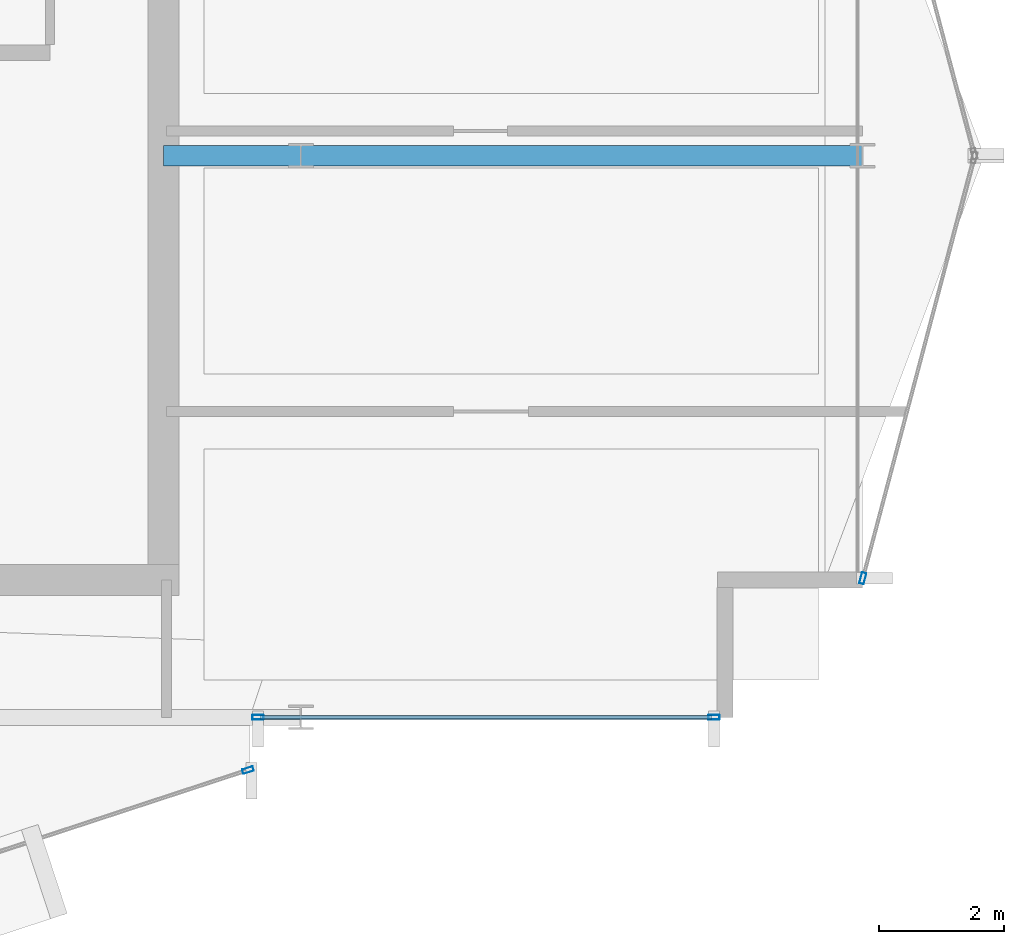
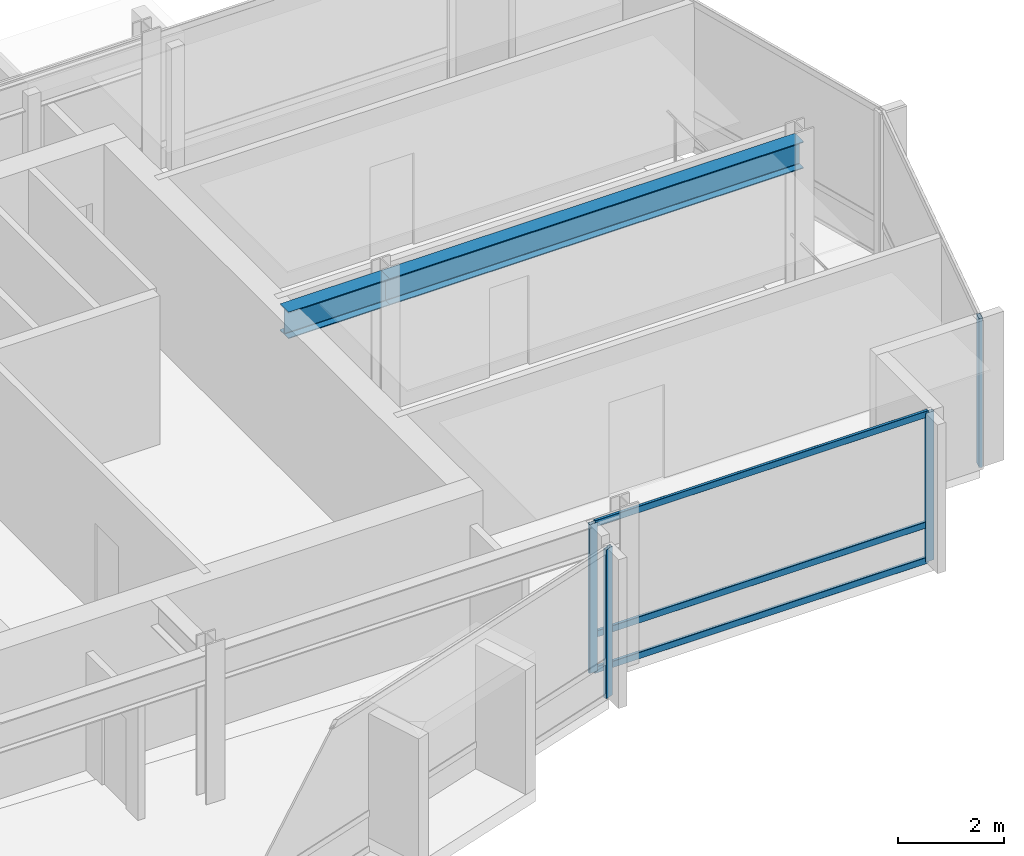
# One storey, part 10 of 28: 7 members, 2 beams, 3 elements without a shape of their own.
"""IFC4 building model written with IfcOpenShell, lengths in metres."""

from ifc_helpers import new_model, si_unit, direction, frame, origin, origin_2d, place, context, subcontext, project, spatial, hollow_rectangle, i_section, extrude, material, layer, layer_set, material_profile, profile_set, type_object, element, aggregate, save


model = new_model("IFC4")

# Units and contexts
model_context = context("Model", 3, precision=1e-05, world=origin(), true_north=direction((0.0, 1.0)))
body_context = subcontext(model_context, "Body", "Model", "MODEL_VIEW")
ifc_project = project(units=[si_unit("LENGTHUNIT", "METRE"), si_unit("AREAUNIT", "SQUARE_METRE"), si_unit("VOLUMEUNIT", "CUBIC_METRE"), si_unit("PLANEANGLEUNIT", "RADIAN"), si_unit("MASSUNIT", "GRAM", prefix="KILO")], contexts=[model_context])

# Site, building, storey
site_placement = place(None, origin())
site = spatial("IfcSite", under=ifc_project, at=site_placement, CompositionType="ELEMENT")
building_placement = place(site_placement, origin())
building = spatial("IfcBuilding", under=site, at=building_placement, Name="Solvaryn Broadcast Tower", CompositionType="ELEMENT")
storey_placement = place(building_placement, frame((0.0, 0.0, 209.89990234375)))
storey = spatial("IfcBuildingStorey", under=building, at=storey_placement, Name="L52", CompositionType="ELEMENT", Elevation=209.89990234375)

# Beams
ifc_material_1 = material(Name="Steel ASTM A992 Grade 50", Category="steel")
ifc_material_profile_1 = material_profile(ifc_material_1, i_section(OverallWidth=0.323974609375, OverallDepth=0.611083984375, WebThickness=0.0126953125, FlangeThickness=0.01904296875, FilletRadius=0.014892578125, at=origin_2d()))
ifc_profile_set_1 = profile_set([ifc_material_profile_1], Name="Steel ASTM A992 Grade 50")
beam_type = type_object("IfcBeamType", Name="BM-B1-W24X104", PredefinedType="BEAM", material=ifc_profile_set_1)
beam_1_placement = place(storey_placement, frame((45.0, 18.0, 3.114501953125), z_axis=(1.0, 0.0, 0.0), x_axis=(0.0, 1.0, 0.0)))
element("IfcBeam", 1, at=beam_1_placement, inside=storey, type_object=beam_type, Name="L52 Primary Beam X (45-54 @ Y=18)", PredefinedType="BEAM", context=body_context, shape_type="SweptSolid", body=[
    extrude(i_section(OverallWidth=0.323974609375, OverallDepth=0.611083984375, WebThickness=0.0126953125, FlangeThickness=0.01904296875, FilletRadius=0.014892578125, at=origin_2d()), origin(), (0.0, 0.0, 1.0), 9.0),
])
beam_2_placement = place(storey_placement, frame((42.800048828125, 18.0, 3.114501953125), z_axis=(1.0, 0.0, 0.0), x_axis=(0.0, 1.0, 0.0)))
element("IfcBeam", 2, at=beam_2_placement, inside=storey, type_object=beam_type, Name="L52 Core Tie Beam CTE3", PredefinedType="BEAM", context=body_context, shape_type="SweptSolid", body=[
    extrude(i_section(OverallWidth=0.323974609375, OverallDepth=0.611083984375, WebThickness=0.0126953125, FlangeThickness=0.01904296875, FilletRadius=0.014892578125, at=origin_2d()), origin(), (0.0, 0.0, 1.0), 2.199951171875),
])

# Curtain wall, member
ifc_material_2 = material(Name="Aluminium and Terracotta Unitised Curtain Wall", Category="masonry")
ifc_layer = layer(ifc_material_2, 0.199951171875)
ifc_layer_set = layer_set([ifc_layer], Name="CW-SYS2-LOWMID")
curtain_wall_type = type_object("IfcCurtainWallType", Name="CW-SYS2-LOWMID", PredefinedType="NOTDEFINED", material=ifc_layer_set)
curtain_wall_1_placement = place(storey_placement, origin())
curtain_wall_1 = element("IfcCurtainWall", 3, at=curtain_wall_1_placement, inside=storey, type_object=curtain_wall_type, Name="L52 Curtain Wall DR4", PredefinedType="NOTDEFINED")
ifc_material_3 = material(Name="Anodised Aluminium 6063-T6", Category="aluminium")
ifc_material_profile_2 = material_profile(ifc_material_3, hollow_rectangle(XDim=0.074951171875, YDim=0.179931640625, WallThickness=0.00390625, InnerFilletRadius=0.00390625, OuterFilletRadius=0.008056640625, at=origin_2d()))
ifc_profile_set_2 = profile_set([ifc_material_profile_2], Name="Anodised Aluminium 6063-T6")
member_type_1 = type_object("IfcMemberType", Name="CW-MUL-180", PredefinedType="MULLION", material=ifc_profile_set_2)
member_1_placement = place(storey_placement, frame((44.153564453125, 8.153564453125, 0.0), z_axis=(0.0, 0.0, 1.0), x_axis=(-0.311558717623, 0.950226902099, 0.0)))
member_1 = element("IfcMember", 4, at=member_1_placement, type_object=member_type_1, Name="CWS2 mullion 2", PredefinedType="MULLION", context=body_context, shape_type="SweptSolid", body=[
    extrude(hollow_rectangle(XDim=0.074951171875, YDim=0.179931640625, WallThickness=0.00390625, InnerFilletRadius=0.00390625, OuterFilletRadius=0.008056640625, at=origin_2d()), origin(), (0.0, 0.0, 1.0), 3.420166015625),
])
aggregate(curtain_wall_1, [member_1])

# Curtain wall, members
curtain_wall_2_placement = place(storey_placement, origin())
curtain_wall_2 = element("IfcCurtainWall", 5, at=curtain_wall_2_placement, inside=storey, type_object=curtain_wall_type, Name="L52 Curtain Wall S2", PredefinedType="NOTDEFINED")
member_2_placement = place(storey_placement, frame((44.31201171875, 9.0, 0.0), z_axis=(0.0, 0.0, 1.0), x_axis=(0.0, 1.0, 0.0)))
member_2 = element("IfcMember", 6, at=member_2_placement, type_object=member_type_1, Name="CWS2 mullion 1", PredefinedType="MULLION", context=body_context, shape_type="SweptSolid", body=[
    extrude(hollow_rectangle(XDim=0.074951171875, YDim=0.179931640625, WallThickness=0.00390625, InnerFilletRadius=0.00390625, OuterFilletRadius=0.008056640625, at=origin_2d()), origin(), (0.0, 0.0, 1.0), 3.420166015625),
])
member_3_placement = place(storey_placement, frame((51.6201171875, 9.0, 0.0), z_axis=(0.0, 0.0, 1.0), x_axis=(0.0, 1.0, 0.0)))
member_3 = element("IfcMember", 7, at=member_3_placement, type_object=member_type_1, Name="CWS2 mullion 2", PredefinedType="MULLION", context=body_context, shape_type="SweptSolid", body=[
    extrude(hollow_rectangle(XDim=0.074951171875, YDim=0.179931640625, WallThickness=0.00390625, InnerFilletRadius=0.00390625, OuterFilletRadius=0.008056640625, at=origin_2d()), origin(), (0.0, 0.0, 1.0), 3.420166015625),
])

# Curtain wall, member
curtain_wall_3_placement = place(storey_placement, origin())
curtain_wall_3 = element("IfcCurtainWall", 8, at=curtain_wall_3_placement, inside=storey, type_object=curtain_wall_type, Name="L52 Curtain Wall ET2", PredefinedType="NOTDEFINED")
member_4_placement = place(storey_placement, frame((54.007568359375, 11.22900390625, 0.0), z_axis=(0.0, 0.0, 1.0), x_axis=(0.966705227863, -0.25589256031, 0.0)))
member_4 = element("IfcMember", 9, at=member_4_placement, type_object=member_type_1, Name="CWS2 mullion 2", PredefinedType="MULLION", context=body_context, shape_type="SweptSolid", body=[
    extrude(hollow_rectangle(XDim=0.074951171875, YDim=0.179931640625, WallThickness=0.00390625, InnerFilletRadius=0.00390625, OuterFilletRadius=0.008056640625, at=origin_2d()), origin(), (0.0, 0.0, 1.0), 3.420166015625),
])
aggregate(curtain_wall_3, [member_4])

# Member
ifc_material_4 = material(Name="Anodised Aluminium 6063-T6", Category="aluminium")
ifc_material_profile_3 = material_profile(ifc_material_4, hollow_rectangle(XDim=0.06494140625, YDim=0.14990234375, WallThickness=0.00390625, InnerFilletRadius=0.00390625, OuterFilletRadius=0.008056640625, at=origin_2d()))
ifc_profile_set_3 = profile_set([ifc_material_profile_3], Name="Anodised Aluminium 6063-T6")
member_type_2 = type_object("IfcMemberType", Name="CW-TRN-150", PredefinedType="USERDEFINED", material=ifc_profile_set_3)
member_5_placement = place(storey_placement, frame((44.342041015625, 9.0, 0.030029296875), z_axis=(1.0, 0.0, 0.0), x_axis=(0.0, 1.0, 0.0)))
member_5 = element("IfcMember", 10, at=member_5_placement, type_object=member_type_2, Name="CWS2 transom 1.1", ObjectType="TRANSOM", PredefinedType="USERDEFINED", context=body_context, shape_type="SweptSolid", body=[
    extrude(hollow_rectangle(XDim=0.06494140625, YDim=0.14990234375, WallThickness=0.00390625, InnerFilletRadius=0.00390625, OuterFilletRadius=0.008056640625, at=origin_2d()), origin(), (0.0, 0.0, 1.0), 7.248046875),
])

member_6_placement = place(storey_placement, frame((44.342041015625, 9.0, 0.85009765625), z_axis=(1.0, 0.0, 0.0), x_axis=(0.0, 1.0, 0.0)))
member_6 = element("IfcMember", 11, at=member_6_placement, type_object=member_type_2, Name="CWS2 transom 1.2", ObjectType="TRANSOM", PredefinedType="USERDEFINED", context=body_context, shape_type="SweptSolid", body=[
    extrude(hollow_rectangle(XDim=0.06494140625, YDim=0.14990234375, WallThickness=0.00390625, InnerFilletRadius=0.00390625, OuterFilletRadius=0.008056640625, at=origin_2d()), origin(), (0.0, 0.0, 1.0), 7.248046875),
])

member_7_placement = place(storey_placement, frame((44.342041015625, 9.0, 3.39013671875), z_axis=(1.0, 0.0, 0.0), x_axis=(0.0, 1.0, 0.0)))
member_7 = element("IfcMember", 12, at=member_7_placement, type_object=member_type_2, Name="CWS2 transom 1.3", ObjectType="TRANSOM", PredefinedType="USERDEFINED", context=body_context, shape_type="SweptSolid", body=[
    extrude(hollow_rectangle(XDim=0.06494140625, YDim=0.14990234375, WallThickness=0.00390625, InnerFilletRadius=0.00390625, OuterFilletRadius=0.008056640625, at=origin_2d()), origin(), (0.0, 0.0, 1.0), 7.248046875),
])

aggregate(curtain_wall_2, [member_2, member_3, member_5, member_6, member_7])

save(model, "model.ifc")
